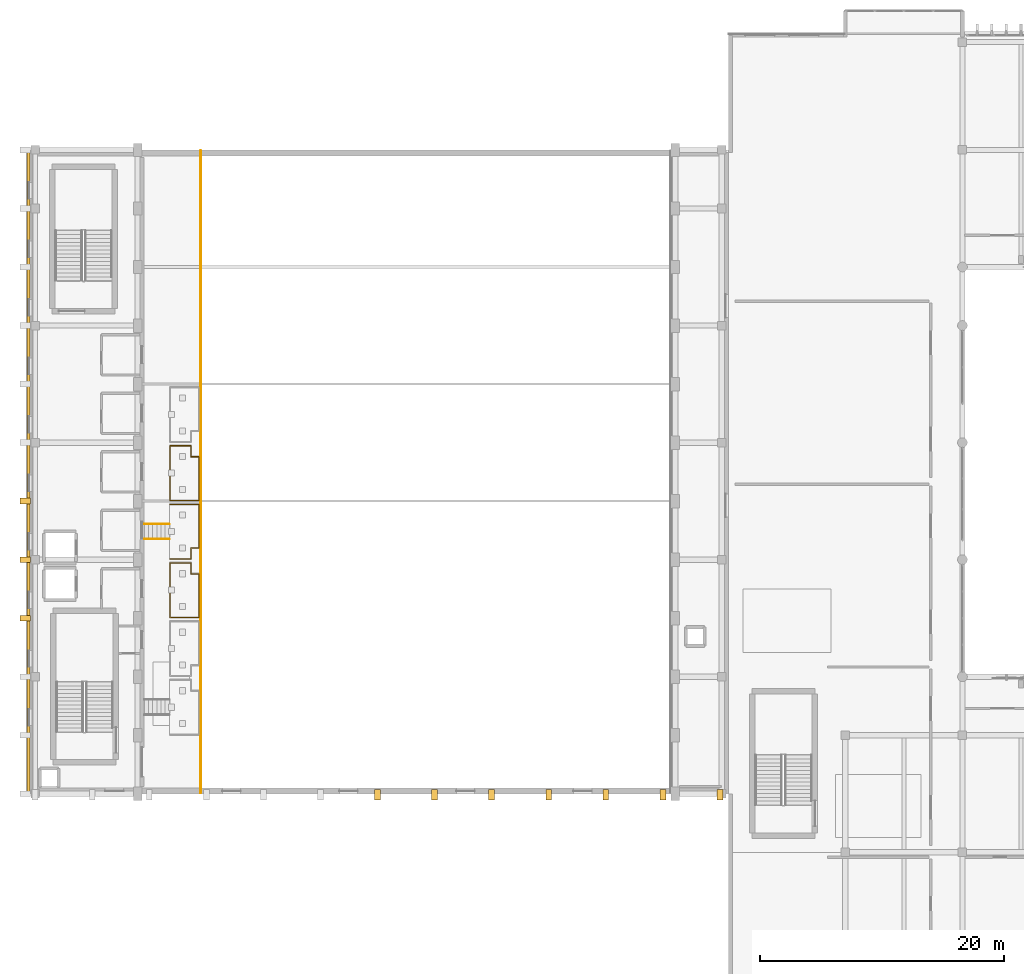
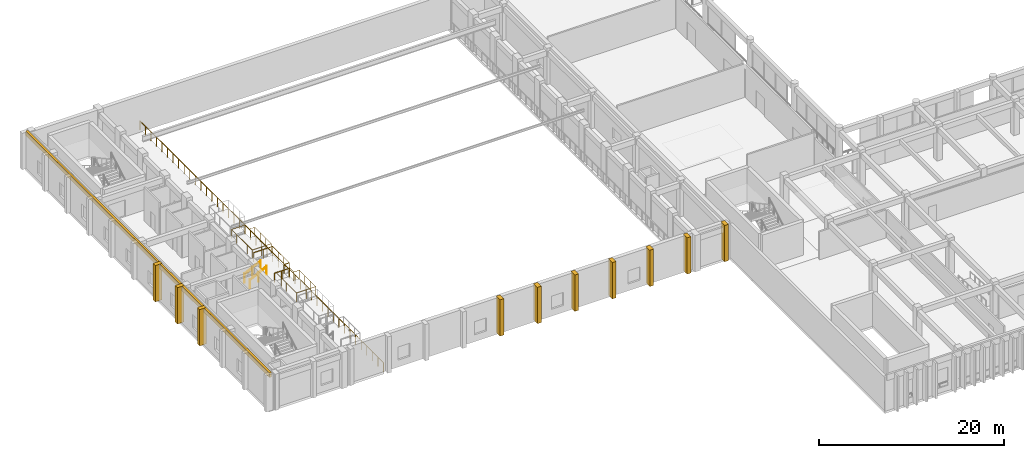
# One storey, part 117 of 133: 11 coverings, 8 railings.
"""IFC4 building model written with IfcOpenShell, lengths in metres."""

from ifc_helpers import new_model, si_unit, direction, frame, origin, origin_2d, place, context, subcontext, project, spatial, rectangle, circle, extrude, material, layer, layer_set, type_object, element, save


model = new_model("IFC4")

# Units and contexts
model_context = context("Model", 3, precision=1e-05, world=origin(), true_north=direction((0.0, 1.0)))
body_context = subcontext(model_context, "Body", "Model", "MODEL_VIEW")
ifc_project = project(units=[si_unit("LENGTHUNIT", "METRE"), si_unit("AREAUNIT", "SQUARE_METRE"), si_unit("VOLUMEUNIT", "CUBIC_METRE"), si_unit("PLANEANGLEUNIT", "RADIAN"), si_unit("MASSUNIT", "GRAM", prefix="KILO")], contexts=[model_context])

# Site, building, storey
site_placement = place(None, origin())
site = spatial("IfcSite", under=ifc_project, at=site_placement, CompositionType="ELEMENT")
building_placement = place(site_placement, origin())
building = spatial("IfcBuilding", under=site, at=building_placement, Name="Nakhvara Creek Congress Hotel", CompositionType="ELEMENT")
storey_placement = place(building_placement, frame((0.0, 0.0, 11.39990234375)))
storey = spatial("IfcBuildingStorey", under=building, at=storey_placement, Name="L02", CompositionType="ELEMENT", Elevation=11.39990234375)

# Coverings
ifc_material_1 = material(Name="Honed pale Omani limestone architectural cladding", Category="masonry")
ifc_layer_1 = layer(ifc_material_1, 0.239990234375)
ifc_layer_set_1 = layer_set([ifc_layer_1], Name="Honed pale Omani limestone architectural cladding")
covering_type_1 = type_object("IfcCoveringType", Name="COV-ARCH-240", PredefinedType="CLADDING", material=ifc_layer_set_1)
covering_placement = place(storey_placement, frame((0.2099609375, 60.0, 4.219970703125), z_axis=(0.0, 0.0, 1.0), x_axis=(0.0, 1.0, 0.0)))
element("IfcCovering", 1, at=covering_placement, inside=storey, type_object=covering_type_1, Name="Pale Limestone Spandrel Band CF04-0039", PredefinedType="CLADDING", context=body_context, shape_type="SweptSolid", body=[
    extrude(rectangle(XDim=52.800048828125, YDim=0.260009765625, at=origin_2d()), origin(), (0.0, 0.0, 1.0), 0.580078125),
])
ifc_layer_2 = layer(ifc_material_1, 0.449951171875)
ifc_layer_set_2 = layer_set([ifc_layer_2], Name="Honed pale Omani limestone architectural cladding")
covering_type_2 = type_object("IfcCoveringType", Name="COV-BUTT-850", PredefinedType="CLADDING", material=ifc_layer_set_2)
for number, where, z_axis, x_axis, name in (
    (2, (-0.06494140625, 48.0, 0.0), (0.0, 0.0, 1.0), (0.0, 1.0, 0.0), "Gothic Limestone Buttress Pier CF03-0487"),
    (3, (-0.06494140625, 52.800048828125, 0.0), (0.0, 0.0, 1.0), (0.0, 1.0, 0.0), "Gothic Limestone Buttress Pier CF03-0488"),
    (4, (-0.06494140625, 57.60009765625, 0.0), (0.0, 0.0, 1.0), (0.0, 1.0, 0.0), "Gothic Limestone Buttress Pier CF03-0489"),
    (5, (28.830078125, 33.534912109375, 0.0), (0.0, 0.0, 1.0), (1.0, 0.0, 0.0), "Gothic Limestone Buttress Pier CF03-0502"),
    (6, (33.510009765625, 33.534912109375, 0.0), (0.0, 0.0, 1.0), (1.0, 0.0, 0.0), "Gothic Limestone Buttress Pier CF03-0503"),
    (7, (38.18994140625, 33.534912109375, 0.0), (0.0, 0.0, 1.0), (1.0, 0.0, 0.0), "Gothic Limestone Buttress Pier CF03-0504"),
    (8, (42.8701171875, 33.534912109375, 0.0), (0.0, 0.0, 1.0), (1.0, 0.0, 0.0), "Gothic Limestone Buttress Pier CF03-0505"),
    (9, (47.550048828125, 33.534912109375, 0.0), (0.0, 0.0, 1.0), (1.0, 0.0, 0.0), "Gothic Limestone Buttress Pier CF03-0506"),
    (10, (52.22998046875, 33.534912109375, 0.0), (0.0, 0.0, 1.0), (1.0, 0.0, 0.0), "Gothic Limestone Buttress Pier CF03-0507"),
    (11, (56.909912109375, 33.534912109375, 0.0), (0.0, 0.0, 1.0), (1.0, 0.0, 0.0), "Gothic Limestone Buttress Pier CF03-0508"),
):
    element("IfcCovering", number, at=place(storey_placement, frame(where, z_axis=z_axis, x_axis=x_axis)), inside=storey, type_object=covering_type_2, Name=name, PredefinedType="CLADDING", context=body_context, shape_type="SweptSolid", body=[
        extrude(rectangle(XDim=0.47998046875, YDim=0.85009765625, at=origin_2d()), origin(), (0.0, 0.0, 1.0), 4.800048828125),
    ])

# Railings
ifc_material_2 = material(Name="Bronze-anodised aluminium and laminated safety glass balustrade", Category="aluminium")
railing_type_1 = type_object("IfcRailingType", Name="RL-BALUS-1200", PredefinedType="BALUSTRADE", material=ifc_material_2)
railing_1_placement = place(storey_placement, frame((14.330078125, 33.659912109375, 0.0)))
element("IfcRailing", 12, at=railing_1_placement, inside=storey, type_object=railing_type_1, Name="Congress Gallery Bowl Edge Guard L02", PredefinedType="BALUSTRADE", context=body_context, shape_type="SweptSolid", body=[
    extrude(circle(Radius=0.02392578125, at=origin_2d()), frame((0.0, 0.0146484375, 1.17578125), z_axis=(0.0, 1.0, 0.0), x_axis=(-1.0, 0.0, 0.0)), (0.0, 0.0, 1.0), 52.65087890625),
    extrude(circle(Radius=0.02099609375, at=origin_2d()), origin(), (0.0, 0.0, 1.0), 1.1806640625),
    extrude(circle(Radius=0.02099609375, at=origin_2d()), frame((0.0, 1.197265625, 0.0)), (0.0, 0.0, 1.0), 1.1806640625),
    extrude(circle(Radius=0.02099609375, at=origin_2d()), frame((0.0, 2.39453125, 0.0)), (0.0, 0.0, 1.0), 1.1806640625),
    extrude(circle(Radius=0.02099609375, at=origin_2d()), frame((0.0, 3.591796875, 0.0)), (0.0, 0.0, 1.0), 1.1806640625),
    extrude(circle(Radius=0.02099609375, at=origin_2d()), frame((0.0, 4.7890625, 0.0)), (0.0, 0.0, 1.0), 1.1806640625),
    extrude(circle(Radius=0.02099609375, at=origin_2d()), frame((0.0, 5.986328125, 0.0)), (0.0, 0.0, 1.0), 1.1806640625),
    extrude(circle(Radius=0.02099609375, at=origin_2d()), frame((0.0, 7.18359375, 0.0)), (0.0, 0.0, 1.0), 1.1806640625),
    extrude(circle(Radius=0.02099609375, at=origin_2d()), frame((0.0, 8.380859375, 0.0)), (0.0, 0.0, 1.0), 1.1806640625),
    extrude(circle(Radius=0.02099609375, at=origin_2d()), frame((0.0, 9.578125, 0.0)), (0.0, 0.0, 1.0), 1.1806640625),
    extrude(circle(Radius=0.02099609375, at=origin_2d()), frame((0.0, 10.775390625, 0.0)), (0.0, 0.0, 1.0), 1.1806640625),
    extrude(circle(Radius=0.02099609375, at=origin_2d()), frame((0.0, 11.97265625, 0.0)), (0.0, 0.0, 1.0), 1.1806640625),
    extrude(circle(Radius=0.02099609375, at=origin_2d()), frame((0.0, 13.169921875, 0.0)), (0.0, 0.0, 1.0), 1.1806640625),
    extrude(circle(Radius=0.02099609375, at=origin_2d()), frame((0.0, 14.367431640625, 0.0)), (0.0, 0.0, 1.0), 1.1806640625),
    extrude(circle(Radius=0.02099609375, at=origin_2d()), frame((0.0, 15.564697265625, 0.0)), (0.0, 0.0, 1.0), 1.1806640625),
    extrude(circle(Radius=0.02099609375, at=origin_2d()), frame((0.0, 16.761962890625, 0.0)), (0.0, 0.0, 1.0), 1.1806640625),
    extrude(circle(Radius=0.02099609375, at=origin_2d()), frame((0.0, 17.959228515625, 0.0)), (0.0, 0.0, 1.0), 1.1806640625),
    extrude(circle(Radius=0.02099609375, at=origin_2d()), frame((0.0, 19.156494140625, 0.0)), (0.0, 0.0, 1.0), 1.1806640625),
    extrude(circle(Radius=0.02099609375, at=origin_2d()), frame((0.0, 20.353759765625, 0.0)), (0.0, 0.0, 1.0), 1.1806640625),
    extrude(circle(Radius=0.02099609375, at=origin_2d()), frame((0.0, 21.551025390625, 0.0)), (0.0, 0.0, 1.0), 1.1806640625),
    extrude(circle(Radius=0.02099609375, at=origin_2d()), frame((0.0, 22.748291015625, 0.0)), (0.0, 0.0, 1.0), 1.1806640625),
    extrude(circle(Radius=0.02099609375, at=origin_2d()), frame((0.0, 23.945556640625, 0.0)), (0.0, 0.0, 1.0), 1.1806640625),
    extrude(circle(Radius=0.02099609375, at=origin_2d()), frame((0.0, 25.142822265625, 0.0)), (0.0, 0.0, 1.0), 1.1806640625),
    extrude(circle(Radius=0.02099609375, at=origin_2d()), frame((0.0, 26.340087890625, 0.0)), (0.0, 0.0, 1.0), 1.1806640625),
    extrude(circle(Radius=0.02099609375, at=origin_2d()), frame((0.0, 27.537353515625, 0.0)), (0.0, 0.0, 1.0), 1.1806640625),
    extrude(circle(Radius=0.02099609375, at=origin_2d()), frame((0.0, 28.734619140625, 0.0)), (0.0, 0.0, 1.0), 1.1806640625),
    extrude(circle(Radius=0.02099609375, at=origin_2d()), frame((0.0, 29.931884765625, 0.0)), (0.0, 0.0, 1.0), 1.1806640625),
    extrude(circle(Radius=0.02099609375, at=origin_2d()), frame((0.0, 31.129150390625, 0.0)), (0.0, 0.0, 1.0), 1.1806640625),
    extrude(circle(Radius=0.02099609375, at=origin_2d()), frame((0.0, 32.326416015625, 0.0)), (0.0, 0.0, 1.0), 1.1806640625),
    extrude(circle(Radius=0.02099609375, at=origin_2d()), frame((0.0, 33.523681640625, 0.0)), (0.0, 0.0, 1.0), 1.1806640625),
    extrude(circle(Radius=0.02099609375, at=origin_2d()), frame((0.0, 34.720947265625, 0.0)), (0.0, 0.0, 1.0), 1.1806640625),
    extrude(circle(Radius=0.02099609375, at=origin_2d()), frame((0.0, 35.918212890625, 0.0)), (0.0, 0.0, 1.0), 1.1806640625),
    extrude(circle(Radius=0.02099609375, at=origin_2d()), frame((0.0, 37.115478515625, 0.0)), (0.0, 0.0, 1.0), 1.1806640625),
    extrude(circle(Radius=0.02099609375, at=origin_2d()), frame((0.0, 38.312744140625, 0.0)), (0.0, 0.0, 1.0), 1.1806640625),
    extrude(circle(Radius=0.02099609375, at=origin_2d()), frame((0.0, 39.51025390625, 0.0)), (0.0, 0.0, 1.0), 1.1806640625),
    extrude(circle(Radius=0.02099609375, at=origin_2d()), frame((0.0, 40.70751953125, 0.0)), (0.0, 0.0, 1.0), 1.1806640625),
    extrude(circle(Radius=0.02099609375, at=origin_2d()), frame((0.0, 41.90478515625, 0.0)), (0.0, 0.0, 1.0), 1.1806640625),
    extrude(circle(Radius=0.02099609375, at=origin_2d()), frame((0.0, 43.10205078125, 0.0)), (0.0, 0.0, 1.0), 1.1806640625),
    extrude(circle(Radius=0.02099609375, at=origin_2d()), frame((0.0, 44.29931640625, 0.0)), (0.0, 0.0, 1.0), 1.1806640625),
    extrude(circle(Radius=0.02099609375, at=origin_2d()), frame((0.0, 45.49658203125, 0.0)), (0.0, 0.0, 1.0), 1.1806640625),
    extrude(circle(Radius=0.02099609375, at=origin_2d()), frame((0.0, 46.69384765625, 0.0)), (0.0, 0.0, 1.0), 1.1806640625),
    extrude(circle(Radius=0.02099609375, at=origin_2d()), frame((0.0, 47.89111328125, 0.0)), (0.0, 0.0, 1.0), 1.1806640625),
    extrude(circle(Radius=0.02099609375, at=origin_2d()), frame((0.0, 49.08837890625, 0.0)), (0.0, 0.0, 1.0), 1.1806640625),
    extrude(circle(Radius=0.02099609375, at=origin_2d()), frame((0.0, 50.28564453125, 0.0)), (0.0, 0.0, 1.0), 1.1806640625),
    extrude(circle(Radius=0.02099609375, at=origin_2d()), frame((0.0, 51.48291015625, 0.0)), (0.0, 0.0, 1.0), 1.1806640625),
    extrude(circle(Radius=0.02099609375, at=origin_2d()), frame((0.0, 52.68017578125, 0.0)), (0.0, 0.0, 1.0), 1.1806640625),
])
railing_2_placement = place(storey_placement, frame((11.81005859375, 48.06005859375, 1.35009765625)))
element("IfcRailing", 13, at=railing_2_placement, inside=storey, type_object=railing_type_1, Name="Stand Tier Balustrade L02-03", PredefinedType="BALUSTRADE", context=body_context, shape_type="SweptSolid", body=[
    extrude(circle(Radius=0.02392578125, at=origin_2d()), frame((0.0146484375, 0.0, 1.17578125), z_axis=(1.0, 0.0, 0.0), x_axis=(0.0, 1.0, 0.0)), (0.0, 0.0, 1.0), 2.340576171875),
    extrude(circle(Radius=0.02392578125, at=origin_2d()), frame((2.369873046875, 0.0146484375, 1.17578125), z_axis=(0.0, 1.0, 0.0), x_axis=(-1.0, 0.0, 0.0)), (0.0, 0.0, 1.0), 3.550537109375),
    extrude(circle(Radius=0.02392578125, at=origin_2d()), frame((2.355224609375, 3.579833984375, 1.17578125), z_axis=(-1.0, 0.0, 0.0), x_axis=(0.0, -1.0, 0.0)), (0.0, 0.0, 1.0), 0.62060546875),
    extrude(circle(Radius=0.02392578125, at=origin_2d()), frame((1.719970703125, 3.594482421875, 1.17578125), z_axis=(0.0, 1.0, 0.0), x_axis=(-1.0, 0.0, 0.0)), (0.0, 0.0, 1.0), 0.870849609375),
    extrude(circle(Radius=0.02392578125, at=origin_2d()), frame((1.705322265625, 4.47998046875, 1.17578125), z_axis=(-1.0, 0.0, 0.0), x_axis=(0.0, -1.0, 0.0)), (0.0, 0.0, 1.0), 1.690673828125),
    extrude(circle(Radius=0.02392578125, at=origin_2d()), frame((0.0, 4.46533203125, 1.17578125), z_axis=(0.0, -1.0, 0.0), x_axis=(1.0, 0.0, 0.0)), (0.0, 0.0, 1.0), 4.45068359375),
    extrude(circle(Radius=0.02099609375, at=origin_2d()), origin(), (0.0, 0.0, 1.0), 1.1806640625),
    extrude(circle(Radius=0.02099609375, at=origin_2d()), frame((1.18505859375, 0.0, 0.0)), (0.0, 0.0, 1.0), 1.1806640625),
    extrude(circle(Radius=0.02099609375, at=origin_2d()), frame((2.369873046875, 0.0, 0.0)), (0.0, 0.0, 1.0), 1.1806640625),
    extrude(circle(Radius=0.02099609375, at=origin_2d()), frame((2.369873046875, 1.193359375, 0.0)), (0.0, 0.0, 1.0), 1.1806640625),
    extrude(circle(Radius=0.02099609375, at=origin_2d()), frame((2.369873046875, 2.386474609375, 0.0)), (0.0, 0.0, 1.0), 1.1806640625),
    extrude(circle(Radius=0.02099609375, at=origin_2d()), frame((2.369873046875, 3.579833984375, 0.0)), (0.0, 0.0, 1.0), 1.1806640625),
    extrude(circle(Radius=0.02099609375, at=origin_2d()), frame((1.719970703125, 3.579833984375, 0.0)), (0.0, 0.0, 1.0), 1.1806640625),
    extrude(circle(Radius=0.02099609375, at=origin_2d()), frame((1.719970703125, 4.47998046875, 0.0)), (0.0, 0.0, 1.0), 1.1806640625),
    extrude(circle(Radius=0.02099609375, at=origin_2d()), frame((0.85986328125, 4.47998046875, 0.0)), (0.0, 0.0, 1.0), 1.1806640625),
    extrude(circle(Radius=0.02099609375, at=origin_2d()), frame((0.0, 4.47998046875, 0.0)), (0.0, 0.0, 1.0), 1.1806640625),
    extrude(circle(Radius=0.02099609375, at=origin_2d()), frame((0.0, 3.35986328125, 0.0)), (0.0, 0.0, 1.0), 1.1806640625),
    extrude(circle(Radius=0.02099609375, at=origin_2d()), frame((0.0, 2.239990234375, 0.0)), (0.0, 0.0, 1.0), 1.1806640625),
    extrude(circle(Radius=0.02099609375, at=origin_2d()), frame((0.0, 1.1201171875, 0.0)), (0.0, 0.0, 1.0), 1.1806640625),
])
railing_3_placement = place(storey_placement, frame((11.81005859375, 52.860107421875, 1.050048828125)))
element("IfcRailing", 14, at=railing_3_placement, inside=storey, type_object=railing_type_1, Name="Stand Tier Balustrade L02-04", PredefinedType="BALUSTRADE", context=body_context, shape_type="SweptSolid", body=[
    extrude(circle(Radius=0.02392578125, at=origin_2d()), frame((0.0146484375, 0.0, 1.17578125), z_axis=(1.0, 0.0, 0.0), x_axis=(0.0, 1.0, 0.0)), (0.0, 0.0, 1.0), 1.690673828125),
    extrude(circle(Radius=0.02392578125, at=origin_2d()), frame((1.719970703125, 0.0146484375, 1.17578125), z_axis=(0.0, 1.0, 0.0), x_axis=(-1.0, 0.0, 0.0)), (0.0, 0.0, 1.0), 0.87060546875),
    extrude(circle(Radius=0.02392578125, at=origin_2d()), frame((1.734619140625, 0.89990234375, 1.17578125), z_axis=(1.0, 0.0, 0.0), x_axis=(0.0, 1.0, 0.0)), (0.0, 0.0, 1.0), 0.62060546875),
    extrude(circle(Radius=0.02392578125, at=origin_2d()), frame((2.369873046875, 0.91455078125, 1.17578125), z_axis=(0.0, 1.0, 0.0), x_axis=(-1.0, 0.0, 0.0)), (0.0, 0.0, 1.0), 3.55078125),
    extrude(circle(Radius=0.02392578125, at=origin_2d()), frame((2.355224609375, 4.47998046875, 1.17578125), z_axis=(-1.0, 0.0, 0.0), x_axis=(0.0, -1.0, 0.0)), (0.0, 0.0, 1.0), 2.340576171875),
    extrude(circle(Radius=0.02099609375, at=origin_2d()), origin(), (0.0, 0.0, 1.0), 1.1806640625),
    extrude(circle(Radius=0.02099609375, at=origin_2d()), frame((0.85986328125, 0.0, 0.0)), (0.0, 0.0, 1.0), 1.1806640625),
    extrude(circle(Radius=0.02099609375, at=origin_2d()), frame((1.719970703125, 0.0, 0.0)), (0.0, 0.0, 1.0), 1.1806640625),
    extrude(circle(Radius=0.02099609375, at=origin_2d()), frame((1.719970703125, 0.89990234375, 0.0)), (0.0, 0.0, 1.0), 1.1806640625),
    extrude(circle(Radius=0.02099609375, at=origin_2d()), frame((2.369873046875, 0.89990234375, 0.0)), (0.0, 0.0, 1.0), 1.1806640625),
    extrude(circle(Radius=0.02099609375, at=origin_2d()), frame((2.369873046875, 2.09326171875, 0.0)), (0.0, 0.0, 1.0), 1.1806640625),
    extrude(circle(Radius=0.02099609375, at=origin_2d()), frame((2.369873046875, 3.28662109375, 0.0)), (0.0, 0.0, 1.0), 1.1806640625),
    extrude(circle(Radius=0.02099609375, at=origin_2d()), frame((2.369873046875, 4.47998046875, 0.0)), (0.0, 0.0, 1.0), 1.1806640625),
    extrude(circle(Radius=0.02099609375, at=origin_2d()), frame((1.18505859375, 4.47998046875, 0.0)), (0.0, 0.0, 1.0), 1.1806640625),
    extrude(circle(Radius=0.02099609375, at=origin_2d()), frame((0.0, 4.47998046875, 0.0)), (0.0, 0.0, 1.0), 1.1806640625),
])
railing_4_placement = place(storey_placement, frame((11.81005859375, 57.659912109375, 1.2001953125)))
element("IfcRailing", 15, at=railing_4_placement, inside=storey, type_object=railing_type_1, Name="Stand Tier Balustrade L02-05", PredefinedType="BALUSTRADE", context=body_context, shape_type="SweptSolid", body=[
    extrude(circle(Radius=0.02392578125, at=origin_2d()), frame((0.0146484375, 0.0, 1.17578125), z_axis=(1.0, 0.0, 0.0), x_axis=(0.0, 1.0, 0.0)), (0.0, 0.0, 1.0), 2.340576171875),
    extrude(circle(Radius=0.02392578125, at=origin_2d()), frame((2.369873046875, 0.0146484375, 1.17578125), z_axis=(0.0, 1.0, 0.0), x_axis=(-1.0, 0.0, 0.0)), (0.0, 0.0, 1.0), 3.55078125),
    extrude(circle(Radius=0.02392578125, at=origin_2d()), frame((2.355224609375, 3.580078125, 1.17578125), z_axis=(-1.0, 0.0, 0.0), x_axis=(0.0, -1.0, 0.0)), (0.0, 0.0, 1.0), 0.62060546875),
    extrude(circle(Radius=0.02392578125, at=origin_2d()), frame((1.719970703125, 3.5947265625, 1.17578125), z_axis=(0.0, 1.0, 0.0), x_axis=(-1.0, 0.0, 0.0)), (0.0, 0.0, 1.0), 0.87060546875),
    extrude(circle(Radius=0.02392578125, at=origin_2d()), frame((1.705322265625, 4.47998046875, 1.17578125), z_axis=(-1.0, 0.0, 0.0), x_axis=(0.0, -1.0, 0.0)), (0.0, 0.0, 1.0), 1.690673828125),
    extrude(circle(Radius=0.02392578125, at=origin_2d()), frame((0.0, 4.46533203125, 1.17578125), z_axis=(0.0, -1.0, 0.0), x_axis=(1.0, 0.0, 0.0)), (0.0, 0.0, 1.0), 4.45068359375),
    extrude(circle(Radius=0.02099609375, at=origin_2d()), origin(), (0.0, 0.0, 1.0), 1.1806640625),
    extrude(circle(Radius=0.02099609375, at=origin_2d()), frame((1.18505859375, 0.0, 0.0)), (0.0, 0.0, 1.0), 1.1806640625),
    extrude(circle(Radius=0.02099609375, at=origin_2d()), frame((2.369873046875, 0.0, 0.0)), (0.0, 0.0, 1.0), 1.1806640625),
    extrude(circle(Radius=0.02099609375, at=origin_2d()), frame((2.369873046875, 1.193359375, 0.0)), (0.0, 0.0, 1.0), 1.1806640625),
    extrude(circle(Radius=0.02099609375, at=origin_2d()), frame((2.369873046875, 2.38671875, 0.0)), (0.0, 0.0, 1.0), 1.1806640625),
    extrude(circle(Radius=0.02099609375, at=origin_2d()), frame((2.369873046875, 3.580078125, 0.0)), (0.0, 0.0, 1.0), 1.1806640625),
    extrude(circle(Radius=0.02099609375, at=origin_2d()), frame((1.719970703125, 3.580078125, 0.0)), (0.0, 0.0, 1.0), 1.1806640625),
    extrude(circle(Radius=0.02099609375, at=origin_2d()), frame((1.719970703125, 4.47998046875, 0.0)), (0.0, 0.0, 1.0), 1.1806640625),
    extrude(circle(Radius=0.02099609375, at=origin_2d()), frame((0.85986328125, 4.47998046875, 0.0)), (0.0, 0.0, 1.0), 1.1806640625),
    extrude(circle(Radius=0.02099609375, at=origin_2d()), frame((0.0, 4.47998046875, 0.0)), (0.0, 0.0, 1.0), 1.1806640625),
    extrude(circle(Radius=0.02099609375, at=origin_2d()), frame((0.0, 3.35986328125, 0.0)), (0.0, 0.0, 1.0), 1.1806640625),
    extrude(circle(Radius=0.02099609375, at=origin_2d()), frame((0.0, 2.239990234375, 0.0)), (0.0, 0.0, 1.0), 1.1806640625),
    extrude(circle(Radius=0.02099609375, at=origin_2d()), frame((0.0, 1.1201171875, 0.0)), (0.0, 0.0, 1.0), 1.1806640625),
])
ifc_material_3 = material(Name="Brushed stainless steel 316L", Category="steel")
railing_type_2 = type_object("IfcRailingType", Name="RL-GUARD-1200", PredefinedType="GUARDRAIL", material=ifc_material_3)
for number, where, name in (
    (16, (9.7099609375, 54.47998046875, 0.0), "Vomitory Guard SV06-S"),
    (17, (9.7099609375, 55.719970703125, 0.0), "Vomitory Guard SV06-N"),
):
    element("IfcRailing", number, at=place(storey_placement, frame(where)), inside=storey, type_object=railing_type_2, Name=name, PredefinedType="GUARDRAIL", context=body_context, shape_type="SweptSolid", body=[
        extrude(circle(Radius=0.02392578125, at=origin_2d()), frame((0.01318359375, 0.0, 1.1826171875), z_axis=(0.889130716513, 0.0, 0.457653328354), x_axis=(0.0, 1.0, 0.0)), (0.0, 0.0, 1.0), 2.26513671875),
        extrude(circle(Radius=0.02099609375, at=origin_2d()), origin(), (0.0, 0.0, 1.0), 1.1806640625),
        extrude(circle(Radius=0.02099609375, at=origin_2d()), frame((1.02001953125, 0.0, 0.52490234375)), (0.0, 0.0, 1.0), 1.1806640625),
        extrude(circle(Radius=0.02099609375, at=origin_2d()), frame((2.0400390625, 0.0, 1.050048828125)), (0.0, 0.0, 1.0), 1.1806640625),
    ])
railing_type_3 = type_object("IfcRailingType", Name="RL-HAND-900", PredefinedType="HANDRAIL", material=ifc_material_3)
for number, where, name in (
    (18, (9.7099609375, 54.47998046875, 0.150146484375), "Vomitory Handrail SV06-S"),
    (19, (9.7099609375, 55.719970703125, 0.150146484375), "Vomitory Handrail SV06-N"),
):
    element("IfcRailing", number, at=place(storey_placement, frame(where)), inside=storey, type_object=railing_type_3, Name=name, PredefinedType="HANDRAIL", context=body_context, shape_type="SweptSolid", body=[
        extrude(circle(Radius=0.02392578125, at=origin_2d()), frame((0.012939453125, 0.0, 0.882568359375), z_axis=(0.887178554642, 0.0, 0.461426280334), x_axis=(0.0, 1.0, 0.0)), (0.0, 0.0, 1.0), 2.27001953125),
        extrude(circle(Radius=0.02099609375, at=origin_2d()), origin(), (0.0, 0.0, 1.0), 0.880615234375),
        extrude(circle(Radius=0.02099609375, at=origin_2d()), frame((1.02001953125, 0.0, 0.530517578125)), (0.0, 0.0, 1.0), 0.880615234375),
        extrude(circle(Radius=0.02099609375, at=origin_2d()), frame((2.0400390625, 0.0, 1.06103515625)), (0.0, 0.0, 1.0), 0.880615234375),
    ])

save(model, "model.ifc")
